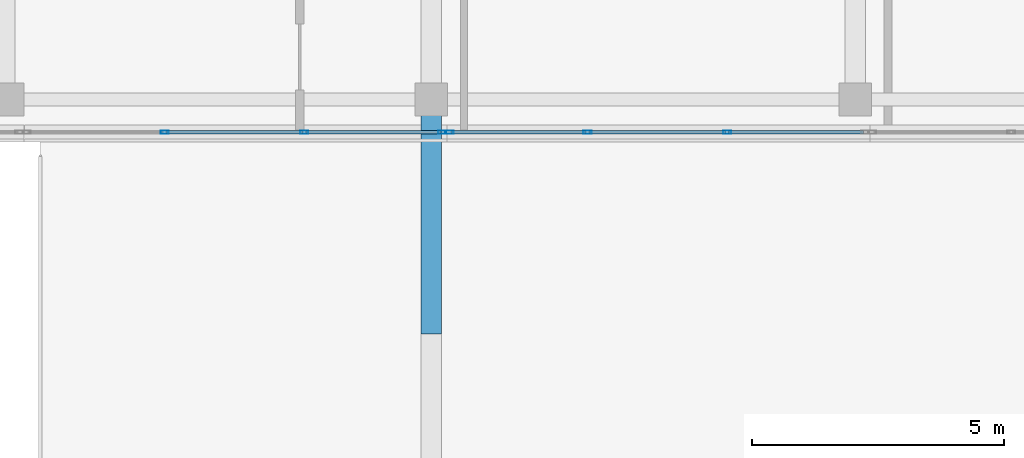
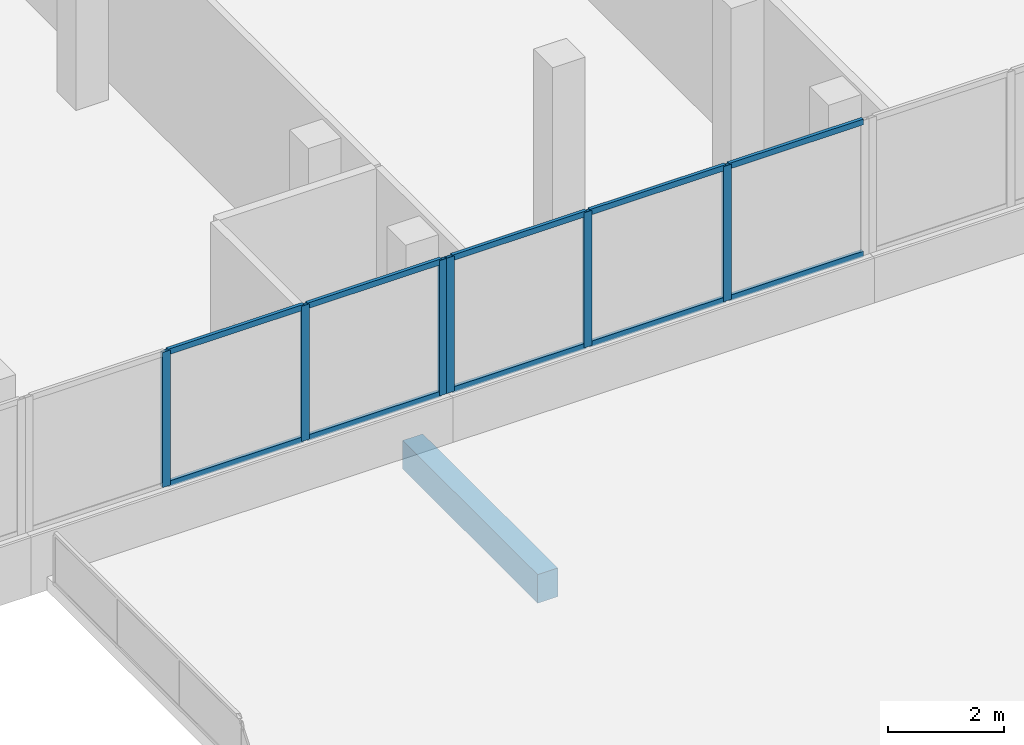
# One storey, part 46 of 76: 16 members, 1 beam, 2 elements without a shape of their own.
"""IFC4 building model written with IfcOpenShell, lengths in metres."""

from ifc_helpers import new_model, si_unit, direction, frame, origin, origin_2d, place, context, subcontext, project, spatial, rectangle, hollow_rectangle, extrude, material, material_profile, profile_set, type_object, element, aggregate, save


model = new_model("IFC4")

# Units and contexts
model_context = context("Model", 3, precision=1e-05, world=origin(), true_north=direction((0.0, 1.0)))
body_context = subcontext(model_context, "Body", "Model", "MODEL_VIEW")
ifc_project = project(units=[si_unit("LENGTHUNIT", "METRE"), si_unit("AREAUNIT", "SQUARE_METRE"), si_unit("VOLUMEUNIT", "CUBIC_METRE"), si_unit("PLANEANGLEUNIT", "RADIAN"), si_unit("MASSUNIT", "GRAM", prefix="KILO")], contexts=[model_context])

# Site, building, storey
site_placement = place(None, origin())
site = spatial("IfcSite", under=ifc_project, at=site_placement, CompositionType="ELEMENT")
building_placement = place(site_placement, origin())
building = spatial("IfcBuilding", under=site, at=building_placement, Name="Selatvlak General Hospital", CompositionType="ELEMENT")
storey_placement = place(building_placement, frame((0.0, 0.0, 27.300048828125)))
storey = spatial("IfcBuildingStorey", under=building, at=storey_placement, Name="L06", CompositionType="ELEMENT", Elevation=27.300048828125)

# Beam
ifc_material_1 = material(Name="Concrete C40/50", Category="concrete")
ifc_material_profile_1 = material_profile(ifc_material_1, rectangle(XDim=0.39990234375, YDim=0.60009765625, at=origin_2d()), Name="RC-BM 400x600")
ifc_profile_set_1 = profile_set([ifc_material_profile_1], Name="Concrete C40/50")
beam_type = type_object("IfcBeamType", Name="BM-G05", PredefinedType="BEAM", material=ifc_profile_set_1)
beam_placement = place(storey_placement, frame((156.550048828125, 84.0, -0.588134765625), z_axis=(0.0, 1.0, 0.0), x_axis=(-1.0, 0.0, 0.0)))
element("IfcBeam", 1, at=beam_placement, inside=storey, type_object=beam_type, Name="Beam BMR-L06-2321", PredefinedType="BEAM", context=body_context, shape_type="SweptSolid", body=[
    extrude(rectangle(XDim=0.39990234375, YDim=0.60009765625, at=origin_2d()), origin(), (0.0, 0.0, 1.0), 4.64990234375),
])

# Curtain wall, members
ifc_material_2 = material(Name="Solar-control Low-E double glazing", Category="glass")
curtain_wall_type_1 = type_object("IfcCurtainWallType", Name="CW-CW-02", PredefinedType="USERDEFINED", material=ifc_material_2)
curtain_wall_1_placement = place(storey_placement, origin())
curtain_wall_1 = element("IfcCurtainWall", 2, at=curtain_wall_1_placement, inside=storey, type_object=curtain_wall_type_1, Name="Glazed facade curtain wall CW-L06-0622", ObjectType="UNITISED CURTAIN WALL", PredefinedType="USERDEFINED")
ifc_material_3 = material(Name="Dark anodised aluminium mullion", Category="aluminium")
ifc_material_profile_2 = material_profile(ifc_material_3, hollow_rectangle(XDim=0.06494140625, YDim=0.159912109375, WallThickness=0.00390625, at=origin_2d()), Name="AL-MUL 65x160x4")
ifc_profile_set_2 = profile_set([ifc_material_profile_2], Name="Dark anodised aluminium mullion")
member_type_1 = type_object("IfcMemberType", Name="CWM-01", PredefinedType="MULLION", material=ifc_profile_set_2)
member_1_placement = place(storey_placement, frame((162.41064453125, 88.0009765625, 0.93994140625), z_axis=(0.0, 0.0, 1.0), x_axis=(0.0, -1.0, 0.0)))
member_1 = element("IfcMember", 3, at=member_1_placement, type_object=member_type_1, Name="CW-02 mullion 2", PredefinedType="MULLION", context=body_context, shape_type="SweptSolid", body=[
    extrude(hollow_rectangle(XDim=0.06494140625, YDim=0.159912109375, WallThickness=0.00390625, at=origin_2d()), origin(), (0.0, 0.0, 1.0), 2.840087890625),
])
member_2_placement = place(storey_placement, frame((159.644287109375, 88.0009765625, 0.93994140625), z_axis=(0.0, 0.0, 1.0), x_axis=(0.0, -1.0, 0.0)))
member_2 = element("IfcMember", 4, at=member_2_placement, type_object=member_type_1, Name="CW-02 mullion 3", PredefinedType="MULLION", context=body_context, shape_type="SweptSolid", body=[
    extrude(hollow_rectangle(XDim=0.06494140625, YDim=0.159912109375, WallThickness=0.00390625, at=origin_2d()), origin(), (0.0, 0.0, 1.0), 2.840087890625),
])
member_3_placement = place(storey_placement, frame((156.910400390625, 88.0009765625, 0.93994140625), z_axis=(0.0, 0.0, 1.0), x_axis=(0.0, -1.0, 0.0)))
member_3 = element("IfcMember", 5, at=member_3_placement, type_object=member_type_1, Name="CW-02 mullion 4", PredefinedType="MULLION", context=body_context, shape_type="SweptSolid", body=[
    extrude(hollow_rectangle(XDim=0.06494140625, YDim=0.159912109375, WallThickness=0.00390625, at=origin_2d()), origin(), (0.0, 0.0, 1.0), 2.840087890625),
])

curtain_wall_type_2 = type_object("IfcCurtainWallType", Name="CW-CW-01", PredefinedType="USERDEFINED", material=ifc_material_2)
curtain_wall_2_placement = place(storey_placement, origin())
curtain_wall_2 = element("IfcCurtainWall", 6, at=curtain_wall_2_placement, inside=storey, type_object=curtain_wall_type_2, Name="Glazed facade curtain wall CW-L06-0623", ObjectType="UNITISED CURTAIN WALL", PredefinedType="USERDEFINED")
member_4_placement = place(storey_placement, frame((156.765380859375, 88.0009765625, 0.93994140625), z_axis=(0.0, 0.0, 1.0), x_axis=(0.0, -1.0, 0.0)))
member_4 = element("IfcMember", 7, at=member_4_placement, type_object=member_type_1, Name="CW-01 mullion 1", PredefinedType="MULLION", context=body_context, shape_type="SweptSolid", body=[
    extrude(hollow_rectangle(XDim=0.06494140625, YDim=0.159912109375, WallThickness=0.00390625, at=origin_2d()), origin(), (0.0, 0.0, 1.0), 2.840087890625),
])
member_5_placement = place(storey_placement, frame((154.03173828125, 88.0009765625, 0.93994140625), z_axis=(0.0, 0.0, 1.0), x_axis=(0.0, -1.0, 0.0)))
member_5 = element("IfcMember", 8, at=member_5_placement, type_object=member_type_1, Name="CW-01 mullion 2", PredefinedType="MULLION", context=body_context, shape_type="SweptSolid", body=[
    extrude(hollow_rectangle(XDim=0.06494140625, YDim=0.159912109375, WallThickness=0.00390625, at=origin_2d()), origin(), (0.0, 0.0, 1.0), 2.840087890625),
])
member_6_placement = place(storey_placement, frame((151.265380859375, 88.0009765625, 0.93994140625), z_axis=(0.0, 0.0, 1.0), x_axis=(0.0, -1.0, 0.0)))
member_6 = element("IfcMember", 9, at=member_6_placement, type_object=member_type_1, Name="CW-01 mullion 3", PredefinedType="MULLION", context=body_context, shape_type="SweptSolid", body=[
    extrude(hollow_rectangle(XDim=0.06494140625, YDim=0.159912109375, WallThickness=0.00390625, at=origin_2d()), origin(), (0.0, 0.0, 1.0), 2.840087890625),
])

# Member
ifc_material_profile_3 = material_profile(ifc_material_3, hollow_rectangle(XDim=0.06494140625, YDim=0.1201171875, WallThickness=0.00390625, at=origin_2d()), Name="AL-TRN 65x120x4")
ifc_profile_set_3 = profile_set([ifc_material_profile_3], Name="Dark anodised aluminium mullion")
member_type_2 = type_object("IfcMemberType", Name="CWT-01", PredefinedType="USERDEFINED", material=ifc_profile_set_3)
member_7_placement = place(storey_placement, frame((165.112060546875, 88.0009765625, 0.972412109375), z_axis=(-1.0, 0.0, 0.0), x_axis=(0.0, -1.0, 0.0)))
member_7 = element("IfcMember", 10, at=member_7_placement, type_object=member_type_2, Name="CW-02 transom 1.1", ObjectType="TRANSOM", PredefinedType="USERDEFINED", context=body_context, shape_type="SweptSolid", body=[
    extrude(hollow_rectangle(XDim=0.06494140625, YDim=0.1201171875, WallThickness=0.00390625, at=origin_2d()), origin(), (0.0, 0.0, 1.0), 2.6689453125),
])

member_8_placement = place(storey_placement, frame((165.112060546875, 88.0009765625, 3.74755859375), z_axis=(-1.0, 0.0, 0.0), x_axis=(0.0, -1.0, 0.0)))
member_8 = element("IfcMember", 11, at=member_8_placement, type_object=member_type_2, Name="CW-02 transom 1.2", ObjectType="TRANSOM", PredefinedType="USERDEFINED", context=body_context, shape_type="SweptSolid", body=[
    extrude(hollow_rectangle(XDim=0.06494140625, YDim=0.1201171875, WallThickness=0.00390625, at=origin_2d()), origin(), (0.0, 0.0, 1.0), 2.6689453125),
])

member_9_placement = place(storey_placement, frame((162.378173828125, 88.0009765625, 0.972412109375), z_axis=(-1.0, 0.0, 0.0), x_axis=(0.0, -1.0, 0.0)))
member_9 = element("IfcMember", 12, at=member_9_placement, type_object=member_type_2, Name="CW-02 transom 2.1", ObjectType="TRANSOM", PredefinedType="USERDEFINED", context=body_context, shape_type="SweptSolid", body=[
    extrude(hollow_rectangle(XDim=0.06494140625, YDim=0.1201171875, WallThickness=0.00390625, at=origin_2d()), origin(), (0.0, 0.0, 1.0), 2.701416015625),
])

member_10_placement = place(storey_placement, frame((162.378173828125, 88.0009765625, 3.74755859375), z_axis=(-1.0, 0.0, 0.0), x_axis=(0.0, -1.0, 0.0)))
member_10 = element("IfcMember", 13, at=member_10_placement, type_object=member_type_2, Name="CW-02 transom 2.2", ObjectType="TRANSOM", PredefinedType="USERDEFINED", context=body_context, shape_type="SweptSolid", body=[
    extrude(hollow_rectangle(XDim=0.06494140625, YDim=0.1201171875, WallThickness=0.00390625, at=origin_2d()), origin(), (0.0, 0.0, 1.0), 2.701416015625),
])

member_11_placement = place(storey_placement, frame((159.61181640625, 88.0009765625, 0.972412109375), z_axis=(-1.0, 0.0, 0.0), x_axis=(0.0, -1.0, 0.0)))
member_11 = element("IfcMember", 14, at=member_11_placement, type_object=member_type_2, Name="CW-02 transom 3.1", ObjectType="TRANSOM", PredefinedType="USERDEFINED", context=body_context, shape_type="SweptSolid", body=[
    extrude(hollow_rectangle(XDim=0.06494140625, YDim=0.1201171875, WallThickness=0.00390625, at=origin_2d()), origin(), (0.0, 0.0, 1.0), 2.668701171875),
])

member_12_placement = place(storey_placement, frame((159.61181640625, 88.0009765625, 3.74755859375), z_axis=(-1.0, 0.0, 0.0), x_axis=(0.0, -1.0, 0.0)))
member_12 = element("IfcMember", 15, at=member_12_placement, type_object=member_type_2, Name="CW-02 transom 3.2", ObjectType="TRANSOM", PredefinedType="USERDEFINED", context=body_context, shape_type="SweptSolid", body=[
    extrude(hollow_rectangle(XDim=0.06494140625, YDim=0.1201171875, WallThickness=0.00390625, at=origin_2d()), origin(), (0.0, 0.0, 1.0), 2.668701171875),
])

aggregate(curtain_wall_1, [member_1, member_2, member_3, member_7, member_8, member_9, member_10, member_11, member_12])

member_13_placement = place(storey_placement, frame((156.73291015625, 88.0009765625, 0.972412109375), z_axis=(-1.0, 0.0, 0.0), x_axis=(0.0, -1.0, 0.0)))
member_13 = element("IfcMember", 16, at=member_13_placement, type_object=member_type_2, Name="CW-01 transom 1.1", ObjectType="TRANSOM", PredefinedType="USERDEFINED", context=body_context, shape_type="SweptSolid", body=[
    extrude(hollow_rectangle(XDim=0.06494140625, YDim=0.1201171875, WallThickness=0.00390625, at=origin_2d()), origin(), (0.0, 0.0, 1.0), 2.668701171875),
])

member_14_placement = place(storey_placement, frame((156.73291015625, 88.0009765625, 3.74755859375), z_axis=(-1.0, 0.0, 0.0), x_axis=(0.0, -1.0, 0.0)))
member_14 = element("IfcMember", 17, at=member_14_placement, type_object=member_type_2, Name="CW-01 transom 1.2", ObjectType="TRANSOM", PredefinedType="USERDEFINED", context=body_context, shape_type="SweptSolid", body=[
    extrude(hollow_rectangle(XDim=0.06494140625, YDim=0.1201171875, WallThickness=0.00390625, at=origin_2d()), origin(), (0.0, 0.0, 1.0), 2.668701171875),
])

member_15_placement = place(storey_placement, frame((153.999267578125, 88.0009765625, 0.972412109375), z_axis=(-1.0, 0.0, 0.0), x_axis=(0.0, -1.0, 0.0)))
member_15 = element("IfcMember", 18, at=member_15_placement, type_object=member_type_2, Name="CW-01 transom 2.1", ObjectType="TRANSOM", PredefinedType="USERDEFINED", context=body_context, shape_type="SweptSolid", body=[
    extrude(hollow_rectangle(XDim=0.06494140625, YDim=0.1201171875, WallThickness=0.00390625, at=origin_2d()), origin(), (0.0, 0.0, 1.0), 2.701416015625),
])

member_16_placement = place(storey_placement, frame((153.999267578125, 88.0009765625, 3.74755859375), z_axis=(-1.0, 0.0, 0.0), x_axis=(0.0, -1.0, 0.0)))
member_16 = element("IfcMember", 19, at=member_16_placement, type_object=member_type_2, Name="CW-01 transom 2.2", ObjectType="TRANSOM", PredefinedType="USERDEFINED", context=body_context, shape_type="SweptSolid", body=[
    extrude(hollow_rectangle(XDim=0.06494140625, YDim=0.1201171875, WallThickness=0.00390625, at=origin_2d()), origin(), (0.0, 0.0, 1.0), 2.701416015625),
])

aggregate(curtain_wall_2, [member_4, member_5, member_6, member_13, member_14, member_15, member_16])

save(model, "model.ifc")
